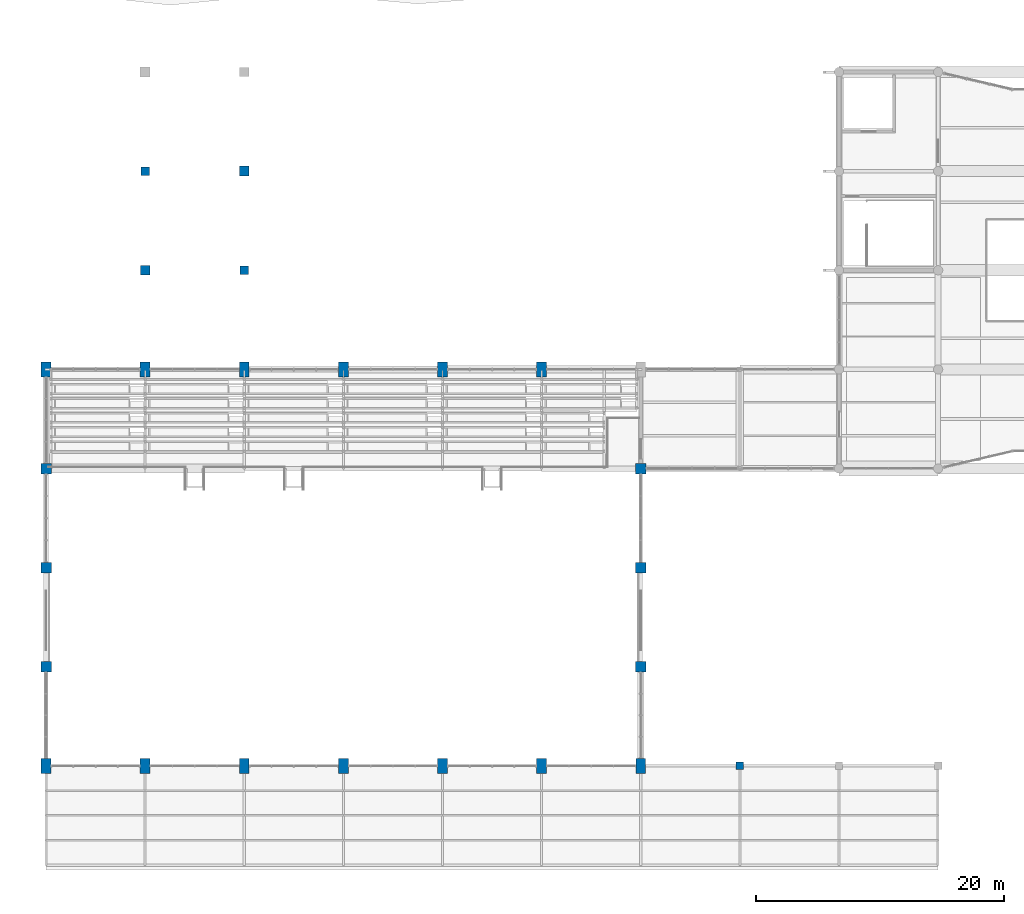
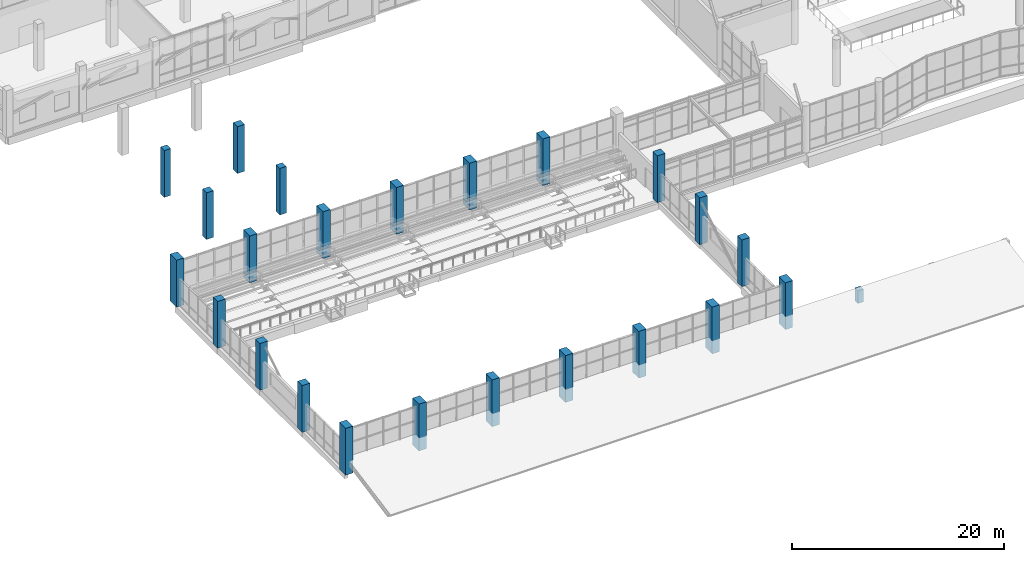
# One storey, part 1 of 122: 24 columns.
"""IFC4 building model written with IfcOpenShell, lengths in metres."""

from ifc_helpers import new_model, si_unit, direction, frame, origin, origin_2d, place, context, subcontext, project, spatial, rectangle, extrude, material, material_profile, profile_set, type_object, element, save


model = new_model("IFC4")

# Units and contexts
model_context = context("Model", 3, precision=1e-05, world=origin(), true_north=direction((0.0, 1.0)))
body_context = subcontext(model_context, "Body", "Model", "MODEL_VIEW")
ifc_project = project(units=[si_unit("LENGTHUNIT", "METRE"), si_unit("AREAUNIT", "SQUARE_METRE"), si_unit("VOLUMEUNIT", "CUBIC_METRE"), si_unit("PLANEANGLEUNIT", "RADIAN"), si_unit("MASSUNIT", "GRAM", prefix="KILO")], contexts=[model_context])

# Site, building, storey
site_placement = place(None, origin())
site = spatial("IfcSite", under=ifc_project, at=site_placement, CompositionType="ELEMENT")
building_placement = place(site_placement, origin())
building = spatial("IfcBuilding", under=site, at=building_placement, Name="Tenunan Teduh Sports Hall", CompositionType="ELEMENT")
storey_placement = place(building_placement, frame((0.0, 0.0, 5.39990234375)))
storey = spatial("IfcBuildingStorey", under=building, at=storey_placement, Name="L01", CompositionType="ELEMENT", Elevation=5.39990234375)

# Columns
ifc_material_1 = material(Name="Concrete C40/50", Category="concrete")
ifc_material_profile_1 = material_profile(ifc_material_1, rectangle(XDim=0.60009765625, YDim=0.60009765625, at=origin_2d()), Name="RC 600x600")
ifc_profile_set_1 = profile_set([ifc_material_profile_1], Name="Concrete C40/50")
column_type_1 = type_object("IfcColumnType", Name="COL-RC-600", PredefinedType="COLUMN", material=ifc_profile_set_1)
column_1_placement = place(storey_placement, frame((62.0, 14.0, 0.0), z_axis=(0.0, 0.0, 1.0), x_axis=(1.0, 0.0, 0.0)))
element("IfcColumn", 1, at=column_1_placement, inside=storey, type_object=column_type_1, Name="COL-C-09-L01-086", PredefinedType="COLUMN", context=body_context, shape_type="SweptSolid", body=[
    extrude(rectangle(XDim=0.60009765625, YDim=0.60009765625, at=origin_2d()), origin(), (0.0, 0.0, 1.0), 1.4501953125),
])
ifc_material_2 = material(Name="Concrete C40/50", Category="concrete")
ifc_material_profile_2 = material_profile(ifc_material_2, rectangle(XDim=0.699951171875, YDim=0.699951171875, at=origin_2d()), Name="RC 700x700")
ifc_profile_set_2 = profile_set([ifc_material_profile_2], Name="Concrete C40/50")
column_type_2 = type_object("IfcColumnType", Name="COL-RC-700", PredefinedType="COLUMN", material=ifc_profile_set_2)
for number, where, z_axis, x_axis, name in (
    (2, (14.0, 62.0, 0.0), (0.0, 0.0, 1.0), (1.0, 0.0, 0.0), "COL-C-07-L01-020"),
    (3, (22.0, 54.0, 0.0), (0.0, 0.0, 1.0), (1.0, 0.0, 0.0), "COL-C-07-L01-032"),
):
    element("IfcColumn", number, at=place(storey_placement, frame(where, z_axis=z_axis, x_axis=x_axis)), inside=storey, type_object=column_type_2, Name=name, PredefinedType="COLUMN", context=body_context, shape_type="SweptSolid", body=[
        extrude(rectangle(XDim=0.699951171875, YDim=0.699951171875, at=origin_2d()), origin(), (0.0, 0.0, 1.0), 5.400146484375),
    ])
ifc_material_3 = material(Name="Concrete C40/50", Category="concrete")
ifc_material_profile_3 = material_profile(ifc_material_3, rectangle(XDim=0.75, YDim=0.75, at=origin_2d()), Name="RC 750x750")
ifc_profile_set_3 = profile_set([ifc_material_profile_3], Name="Concrete C40/50")
column_type_3 = type_object("IfcColumnType", Name="COL-RC-750", PredefinedType="COLUMN", material=ifc_profile_set_3)
column_2_placement = place(storey_placement, frame((14.0, 54.0, 0.0), z_axis=(0.0, 0.0, 1.0), x_axis=(1.0, 0.0, 0.0)))
element("IfcColumn", 4, at=column_2_placement, inside=storey, type_object=column_type_3, Name="COL-C-06-L01-019", PredefinedType="COLUMN", context=body_context, shape_type="SweptSolid", body=[
    extrude(rectangle(XDim=0.75, YDim=0.75, at=origin_2d()), origin(), (0.0, 0.0, 1.0), 5.400146484375),
])
ifc_material_4 = material(Name="Concrete C40/50", Category="concrete")
ifc_material_profile_4 = material_profile(ifc_material_4, rectangle(XDim=0.800048828125, YDim=0.800048828125, at=origin_2d()), Name="RC 800x800")
ifc_profile_set_4 = profile_set([ifc_material_profile_4], Name="Concrete C40/50")
column_type_4 = type_object("IfcColumnType", Name="COL-RC-800", PredefinedType="COLUMN", material=ifc_profile_set_4)
column_3_placement = place(storey_placement, frame((22.0, 62.0, 0.0), z_axis=(0.0, 0.0, 1.0), x_axis=(1.0, 0.0, 0.0)))
element("IfcColumn", 5, at=column_3_placement, inside=storey, type_object=column_type_4, Name="COL-C-05-L01-033", PredefinedType="COLUMN", context=body_context, shape_type="SweptSolid", body=[
    extrude(rectangle(XDim=0.800048828125, YDim=0.800048828125, at=origin_2d()), origin(), (0.0, 0.0, 1.0), 5.400146484375),
])
ifc_material_5 = material(Name="Concrete C40/50", Category="concrete")
ifc_material_profile_5 = material_profile(ifc_material_5, rectangle(XDim=0.800048828125, YDim=1.199951171875, at=origin_2d()), Name="RC 800x1200")
ifc_profile_set_5 = profile_set([ifc_material_profile_5], Name="Concrete C40/50")
column_type_5 = type_object("IfcColumnType", Name="COL-RC-800x1200", PredefinedType="COLUMN", material=ifc_profile_set_5)
for number, where, z_axis, x_axis, name in (
    (6, (6.0, 14.0, 0.0), (0.0, 0.0, 1.0), (1.0, 0.0, 0.0), "COL-C-14-L01-002"),
    (7, (6.0, 46.0, 0.0), (0.0, 0.0, 1.0), (1.0, 0.0, 0.0), "COL-C-14-L01-006"),
    (8, (14.0, 14.0, 0.0), (0.0, 0.0, 1.0), (1.0, 0.0, 0.0), "COL-C-14-L01-016"),
    (9, (14.0, 46.0, 0.0), (0.0, 0.0, 1.0), (1.0, 0.0, 0.0), "COL-C-14-L01-018"),
    (10, (22.0, 14.0, 0.0), (0.0, 0.0, 1.0), (1.0, 0.0, 0.0), "COL-C-14-L01-029"),
    (11, (22.0, 46.0, 0.0), (0.0, 0.0, 1.0), (1.0, 0.0, 0.0), "COL-C-14-L01-031"),
    (12, (30.0, 14.0, 0.0), (0.0, 0.0, 1.0), (1.0, 0.0, 0.0), "COL-C-14-L01-042"),
    (13, (30.0, 46.0, 0.0), (0.0, 0.0, 1.0), (1.0, 0.0, 0.0), "COL-C-14-L01-044"),
    (14, (38.0, 14.0, 0.0), (0.0, 0.0, 1.0), (1.0, 0.0, 0.0), "COL-C-14-L01-052"),
    (15, (38.0, 46.0, 0.0), (0.0, 0.0, 1.0), (1.0, 0.0, 0.0), "COL-C-14-L01-054"),
    (16, (46.0, 14.0, 0.0), (0.0, 0.0, 1.0), (1.0, 0.0, 0.0), "COL-C-14-L01-062"),
    (17, (46.0, 46.0, 0.0), (0.0, 0.0, 1.0), (1.0, 0.0, 0.0), "COL-C-14-L01-064"),
    (18, (54.0, 14.0, 0.0), (0.0, 0.0, 1.0), (1.0, 0.0, 0.0), "COL-C-14-L01-072"),
):
    element("IfcColumn", number, at=place(storey_placement, frame(where, z_axis=z_axis, x_axis=x_axis)), inside=storey, type_object=column_type_5, Name=name, PredefinedType="COLUMN", context=body_context, shape_type="SweptSolid", body=[
        extrude(rectangle(XDim=0.800048828125, YDim=1.199951171875, at=origin_2d()), origin(), (0.0, 0.0, 1.0), 5.400146484375),
    ])
ifc_material_6 = material(Name="Concrete C40/50", Category="concrete")
ifc_material_profile_6 = material_profile(ifc_material_6, rectangle(XDim=0.85009765625, YDim=0.85009765625, at=origin_2d()), Name="RC 850x850")
ifc_profile_set_6 = profile_set([ifc_material_profile_6], Name="Concrete C40/50")
column_type_6 = type_object("IfcColumnType", Name="COL-RC-850", PredefinedType="COLUMN", material=ifc_profile_set_6)
for number, where, z_axis, x_axis, name in (
    (19, (6.0, 22.0, 0.0), (0.0, 0.0, 1.0), (1.0, 0.0, 0.0), "COL-C-04-L01-003"),
    (20, (6.0, 30.0, 0.0), (0.0, 0.0, 1.0), (1.0, 0.0, 0.0), "COL-C-04-L01-004"),
    (21, (6.0, 38.0, 0.0), (0.0, 0.0, 1.0), (1.0, 0.0, 0.0), "COL-C-04-L01-005"),
    (22, (54.0, 22.0, 0.0), (0.0, 0.0, 1.0), (1.0, 0.0, 0.0), "COL-C-04-L01-073"),
    (23, (54.0, 30.0, 0.0), (0.0, 0.0, 1.0), (1.0, 0.0, 0.0), "COL-C-04-L01-074"),
    (24, (54.0, 38.0, 0.0), (0.0, 0.0, 1.0), (1.0, 0.0, 0.0), "COL-C-04-L01-075"),
):
    element("IfcColumn", number, at=place(storey_placement, frame(where, z_axis=z_axis, x_axis=x_axis)), inside=storey, type_object=column_type_6, Name=name, PredefinedType="COLUMN", context=body_context, shape_type="SweptSolid", body=[
        extrude(rectangle(XDim=0.85009765625, YDim=0.85009765625, at=origin_2d()), origin(), (0.0, 0.0, 1.0), 5.400146484375),
    ])

save(model, "model.ifc")
